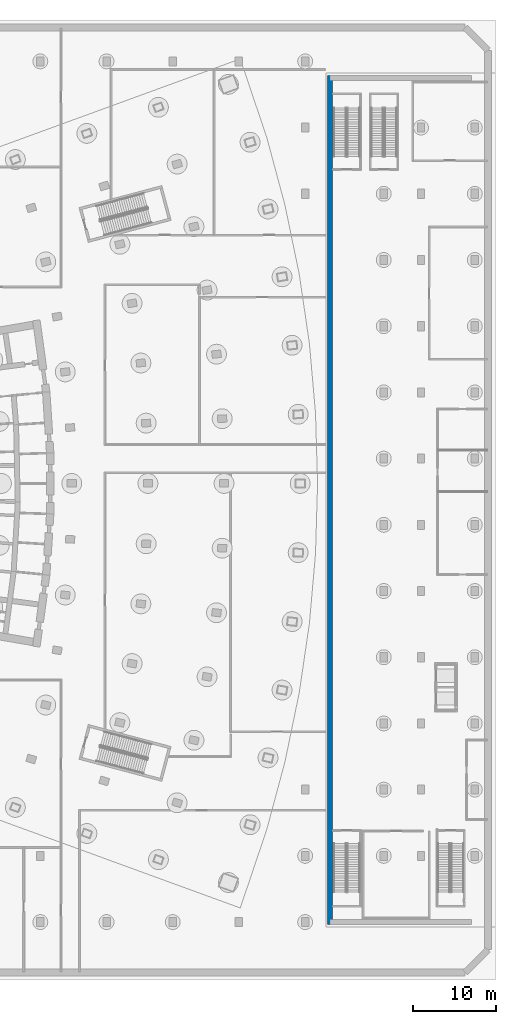
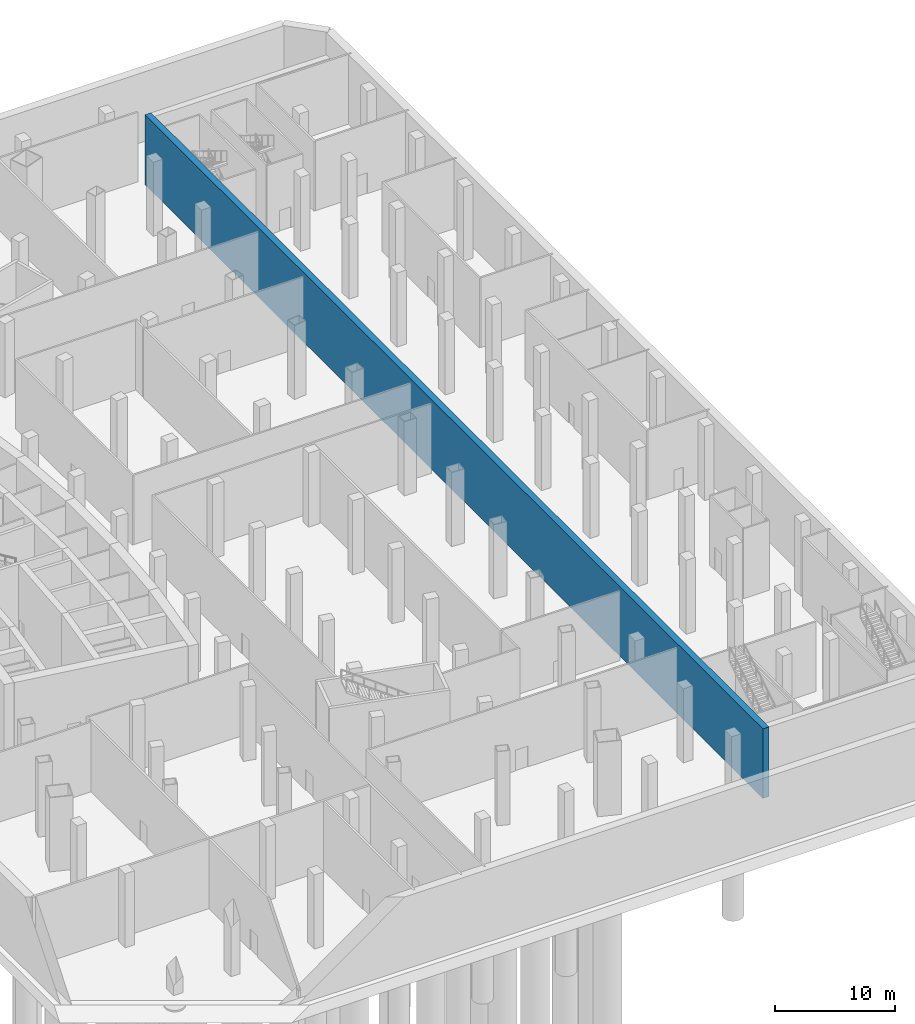
# One storey, part 8 of 19: 1 wall.
"""IFC4 building model written with IfcOpenShell, lengths in metres."""

from ifc_helpers import new_model, si_unit, direction, frame, frame_2d, origin, place, context, subcontext, project, spatial, rectangle, extrude, material, layer, layer_set, type_object, element, save


model = new_model("IFC4")

# Units and contexts
model_context = context("Model", 3, precision=1e-05, world=origin(), true_north=direction((0.0, 1.0)))
body_context = subcontext(model_context, "Body", "Model", "MODEL_VIEW")
ifc_project = project(units=[si_unit("LENGTHUNIT", "METRE"), si_unit("AREAUNIT", "SQUARE_METRE"), si_unit("VOLUMEUNIT", "CUBIC_METRE"), si_unit("PLANEANGLEUNIT", "RADIAN"), si_unit("MASSUNIT", "GRAM", prefix="KILO")], contexts=[model_context])

# Site, building, storey
site_placement = place(None, origin())
site = spatial("IfcSite", under=ifc_project, at=site_placement, CompositionType="ELEMENT")
building_placement = place(site_placement, origin())
building = spatial("IfcBuilding", under=site, at=building_placement, Name="Alderwake Tower", CompositionType="ELEMENT")
storey_placement = place(building_placement, frame((0.0, 0.0, -14.0)))
storey = spatial("IfcBuildingStorey", under=building, at=storey_placement, Name="B2", CompositionType="ELEMENT", Elevation=-14.0)

# Wall
ifc_material = material(Name="Concrete C70/85", Category="concrete")
ifc_layer = layer(ifc_material, 0.60009765625)
ifc_layer_set = layer_set([ifc_layer], Name="Station box wall 600")
wall_type = type_object("IfcWallType", Name="Station box wall 600", PredefinedType="SHEAR", material=ifc_layer_set)
wall_placement = place(storey_placement, frame((67.0, 7.699951171875, 0.0), z_axis=(0.0, 0.0, 1.0), x_axis=(0.0, 1.0, 0.0)))
element("IfcWall", 1, at=wall_placement, inside=storey, type_object=wall_type, Name="Station box wall W", PredefinedType="SHEAR", context=body_context, shape_type="SweptSolid", body=[
    extrude(rectangle(XDim=102.60009765625, YDim=0.60009765625, at=frame_2d((51.300048828125, 0.0))), origin(), (0.0, 0.0, 1.0), 7.050048828125),
])

save(model, "model.ifc")
